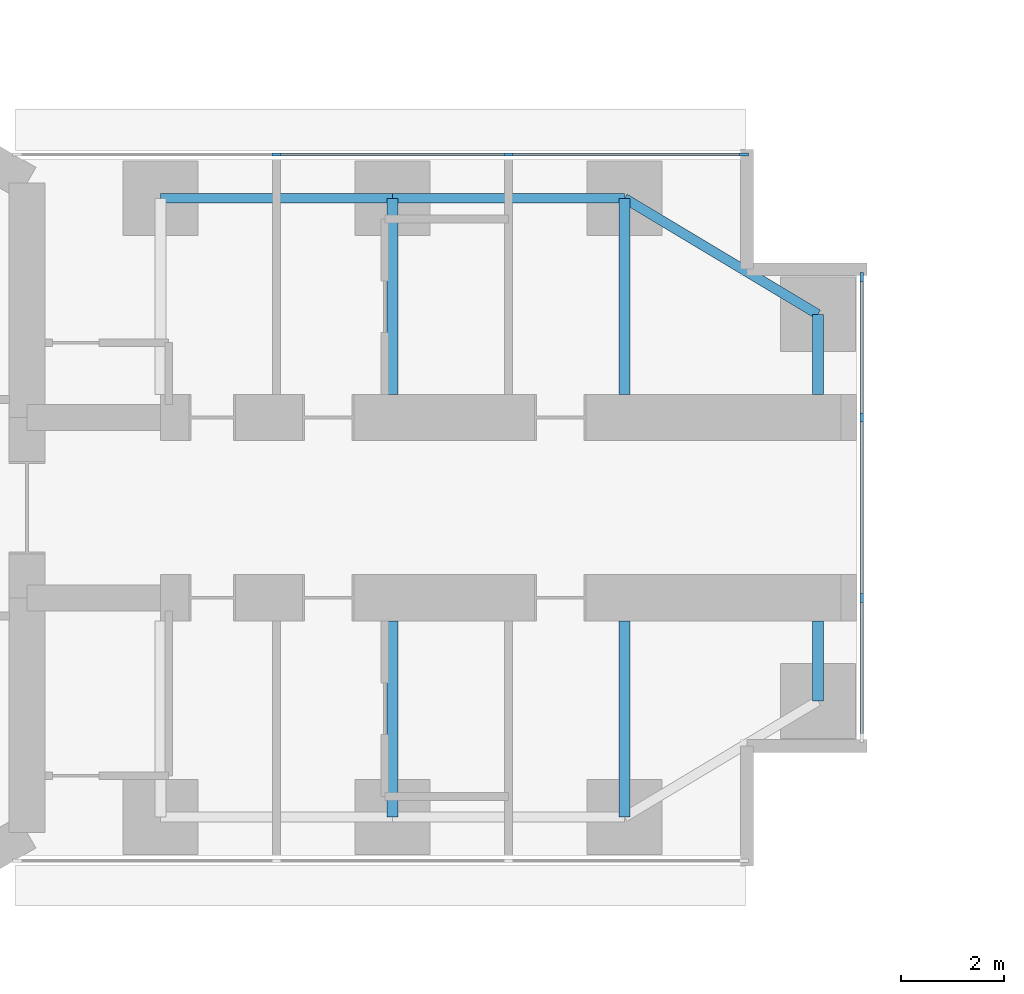
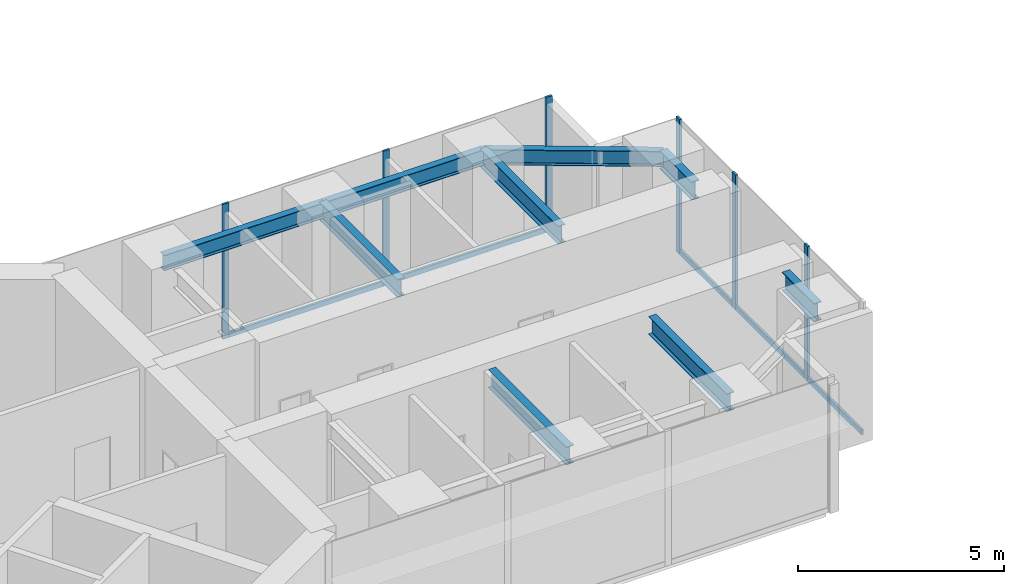
# One storey, part 8 of 24: 11 members, 9 beams, 2 elements without a shape of their own.
"""IFC4 building model written with IfcOpenShell, lengths in metres."""

from ifc_helpers import new_model, si_unit, direction, frame, origin, origin_2d, place, context, subcontext, project, spatial, rectangle, i_section, extrude, material, material_profile, profile_set, type_object, element, aggregate, save


model = new_model("IFC4")

# Units and contexts
model_context = context("Model", 3, precision=1e-05, world=origin(), true_north=direction((0.0, 1.0)))
body_context = subcontext(model_context, "Body", "Model", "MODEL_VIEW")
ifc_project = project(units=[si_unit("LENGTHUNIT", "METRE"), si_unit("AREAUNIT", "SQUARE_METRE"), si_unit("VOLUMEUNIT", "CUBIC_METRE"), si_unit("PLANEANGLEUNIT", "RADIAN"), si_unit("MASSUNIT", "GRAM", prefix="KILO")], contexts=[model_context])

# Site, building, storey
site_placement = place(None, origin())
site = spatial("IfcSite", under=ifc_project, at=site_placement, CompositionType="ELEMENT")
building_placement = place(site_placement, origin())
building = spatial("IfcBuilding", under=site, at=building_placement, Name="Upepo Twin Towers", CompositionType="ELEMENT")
storey_placement = place(building_placement, frame((0.0, 0.0, 60.5)))
storey = spatial("IfcBuildingStorey", under=building, at=storey_placement, Name="L14", CompositionType="ELEMENT", Elevation=60.5)

# Beams
ifc_material_1 = material(Name="Steel S355", Category="steel")
ifc_material_profile_1 = material_profile(ifc_material_1, i_section(OverallWidth=0.1904296875, OverallDepth=0.45703125, WebThickness=0.009033203125, FlangeThickness=0.014404296875, FilletRadius=0.01025390625, at=origin_2d()), Name="UB 457x191x74")
ifc_profile_set_1 = profile_set([ifc_material_profile_1], Name="Steel S355")
beam_type_1 = type_object("IfcBeamType", Name="Beam UB 457x191x74", PredefinedType="BEAM", material=ifc_profile_set_1)
for number, where, z_axis, x_axis, name in (
    (1, (13.5, 6.0, 3.571533203125), (1.0, 0.0, 0.0), (0.0, 1.0, 0.0), "T1 edge beam AL 13.5-18.0"),
    (2, (18.0, 6.0, 3.571533203125), (1.0, 0.0, 0.0), (0.0, 1.0, 0.0), "T1 edge beam AL 18.0-22.5"),
):
    element("IfcBeam", number, at=place(storey_placement, frame(where, z_axis=z_axis, x_axis=x_axis)), inside=storey, type_object=beam_type_1, Name=name, PredefinedType="BEAM", context=body_context, shape_type="SweptSolid", body=[
        extrude(i_section(OverallWidth=0.1904296875, OverallDepth=0.45703125, WebThickness=0.009033203125, FlangeThickness=0.014404296875, FilletRadius=0.01025390625, at=origin_2d()), origin(), (0.0, 0.0, 1.0), 4.5),
    ])
beam_placement = place(storey_placement, frame((22.5, 6.0, 3.571533203125), z_axis=(0.857492925713, -0.514495755428, 0.0), x_axis=(0.514495755428, 0.857492925713, 0.0)))
element("IfcBeam", 3, at=beam_placement, inside=storey, type_object=beam_type_1, Name="T1 nose edge beam AL", PredefinedType="BEAM", context=body_context, shape_type="SweptSolid", body=[
    extrude(i_section(OverallWidth=0.1904296875, OverallDepth=0.45703125, WebThickness=0.009033203125, FlangeThickness=0.014404296875, FilletRadius=0.01025390625, at=origin_2d()), origin(), (0.0, 0.0, 1.0), 4.373291015625),
])
ifc_material_2 = material(Name="Steel S355", Category="steel")
ifc_material_profile_2 = material_profile(ifc_material_2, i_section(OverallWidth=0.2119140625, OverallDepth=0.54443359375, WebThickness=0.0126953125, FlangeThickness=0.021240234375, FilletRadius=0.0126953125, at=origin_2d()), Name="UB 533x210x122")
ifc_profile_set_2 = profile_set([ifc_material_profile_2], Name="Steel S355")
beam_type_2 = type_object("IfcBeamType", Name="Beam UB 533x210x122", PredefinedType="BEAM", material=ifc_profile_set_2)
for number, where, z_axis, x_axis, name in (
    (4, (26.25, 3.75, 3.52783203125), (0.0, -1.0, 0.0), (1.0, 0.0, 0.0), "T1 nose beam AL"),
    (5, (26.25, -3.75, 3.52783203125), (0.0, 1.0, 0.0), (-1.0, 0.0, 0.0), "T1 nose beam AR"),
):
    element("IfcBeam", number, at=place(storey_placement, frame(where, z_axis=z_axis, x_axis=x_axis)), inside=storey, type_object=beam_type_2, Name=name, PredefinedType="BEAM", context=body_context, shape_type="SweptSolid", body=[
        extrude(i_section(OverallWidth=0.2119140625, OverallDepth=0.54443359375, WebThickness=0.0126953125, FlangeThickness=0.021240234375, FilletRadius=0.0126953125, at=origin_2d()), origin(), (0.0, 0.0, 1.0), 1.550048828125),
    ])
ifc_material_3 = material(Name="Steel S355", Category="steel")
ifc_material_profile_3 = material_profile(ifc_material_3, i_section(OverallWidth=0.209228515625, OverallDepth=0.533203125, WebThickness=0.010009765625, FlangeThickness=0.015625, FilletRadius=0.0126953125, at=origin_2d()), Name="UB 533x210x92")
ifc_profile_set_3 = profile_set([ifc_material_profile_3], Name="Steel S355")
beam_type_3 = type_object("IfcBeamType", Name="Beam UB 533x210x92", PredefinedType="BEAM", material=ifc_profile_set_3)
for number, where, z_axis, x_axis, name in (
    (6, (18.0, 6.0, 3.533447265625), (0.0, -1.0, 0.0), (1.0, 0.0, 0.0), "T1 girder AL at 18.0"),
    (7, (22.5, 6.0, 3.533447265625), (0.0, -1.0, 0.0), (1.0, 0.0, 0.0), "T1 girder AL at 22.5"),
    (8, (18.0, -6.0, 3.533447265625), (0.0, 1.0, 0.0), (-1.0, 0.0, 0.0), "T1 girder AR at 18.0"),
    (9, (22.5, -6.0, 3.533447265625), (0.0, 1.0, 0.0), (-1.0, 0.0, 0.0), "T1 girder AR at 22.5"),
):
    element("IfcBeam", number, at=place(storey_placement, frame(where, z_axis=z_axis, x_axis=x_axis)), inside=storey, type_object=beam_type_3, Name=name, PredefinedType="BEAM", context=body_context, shape_type="SweptSolid", body=[
        extrude(i_section(OverallWidth=0.209228515625, OverallDepth=0.533203125, WebThickness=0.010009765625, FlangeThickness=0.015625, FilletRadius=0.0126953125, at=origin_2d()), origin(), (0.0, 0.0, 1.0), 3.800048828125),
    ])

# Curtain wall, members
ifc_material_4 = material(Name="Aluminium and fritted glass", Category="aluminium")
curtain_wall_type = type_object("IfcCurtainWallType", Name="Tower curtain wall TW1, fritted glass", PredefinedType="NOTDEFINED", material=ifc_material_4)
curtain_wall_1_placement = place(storey_placement, origin())
curtain_wall_1 = element("IfcCurtainWall", 10, at=curtain_wall_1_placement, inside=storey, type_object=curtain_wall_type, Name="T1 L14 wing A flank L curtain wall", PredefinedType="NOTDEFINED")
ifc_material_5 = material(Name="Aluminium mullion", Category="aluminium")
ifc_material_profile_4 = material_profile(ifc_material_5, rectangle(XDim=0.06494140625, YDim=0.179931640625, at=origin_2d()), Name="MULLION 65x180")
ifc_profile_set_4 = profile_set([ifc_material_profile_4], Name="Aluminium mullion")
member_type_1 = type_object("IfcMemberType", Name="Mullion 65x180 TW1", PredefinedType="MULLION", material=ifc_profile_set_4)
member_1_placement = place(storey_placement, frame((15.75, 6.85009765625, 0.0), z_axis=(0.0, 0.0, 1.0), x_axis=(0.0, 1.0, 0.0)))
member_1 = element("IfcMember", 11, at=member_1_placement, type_object=member_type_1, Name="T1 L14 wing A flank L curtain wall mullion 2", PredefinedType="MULLION", context=body_context, shape_type="SweptSolid", body=[
    extrude(rectangle(XDim=0.06494140625, YDim=0.179931640625, at=origin_2d()), origin(), (0.0, 0.0, 1.0), 4.0),
])
member_2_placement = place(storey_placement, frame((20.25, 6.85009765625, 0.0), z_axis=(0.0, 0.0, 1.0), x_axis=(0.0, 1.0, 0.0)))
member_2 = element("IfcMember", 12, at=member_2_placement, type_object=member_type_1, Name="T1 L14 wing A flank L curtain wall mullion 3", PredefinedType="MULLION", context=body_context, shape_type="SweptSolid", body=[
    extrude(rectangle(XDim=0.06494140625, YDim=0.179931640625, at=origin_2d()), origin(), (0.0, 0.0, 1.0), 4.0),
])
member_3_placement = place(storey_placement, frame((24.8173828125, 6.85009765625, 0.0), z_axis=(0.0, 0.0, 1.0), x_axis=(0.0, 1.0, 0.0)))
member_3 = element("IfcMember", 13, at=member_3_placement, type_object=member_type_1, Name="T1 L14 wing A flank L curtain wall mullion 4", PredefinedType="MULLION", context=body_context, shape_type="SweptSolid", body=[
    extrude(rectangle(XDim=0.06494140625, YDim=0.179931640625, at=origin_2d()), origin(), (0.0, 0.0, 1.0), 4.0),
])

curtain_wall_2_placement = place(storey_placement, origin())
curtain_wall_2 = element("IfcCurtainWall", 14, at=curtain_wall_2_placement, inside=storey, type_object=curtain_wall_type, Name="T1 L14 wing A nose curtain wall", PredefinedType="NOTDEFINED")
member_4_placement = place(storey_placement, frame((27.10009765625, -1.75, 0.0), z_axis=(0.0, 0.0, 1.0), x_axis=(-1.0, 0.0, 0.0)))
member_4 = element("IfcMember", 15, at=member_4_placement, type_object=member_type_1, Name="T1 L14 wing A nose curtain wall mullion 2", PredefinedType="MULLION", context=body_context, shape_type="SweptSolid", body=[
    extrude(rectangle(XDim=0.06494140625, YDim=0.179931640625, at=origin_2d()), origin(), (0.0, 0.0, 1.0), 4.0),
])
member_5_placement = place(storey_placement, frame((27.10009765625, 1.75, 0.0), z_axis=(0.0, 0.0, 1.0), x_axis=(-1.0, 0.0, 0.0)))
member_5 = element("IfcMember", 16, at=member_5_placement, type_object=member_type_1, Name="T1 L14 wing A nose curtain wall mullion 3", PredefinedType="MULLION", context=body_context, shape_type="SweptSolid", body=[
    extrude(rectangle(XDim=0.06494140625, YDim=0.179931640625, at=origin_2d()), origin(), (0.0, 0.0, 1.0), 4.0),
])
member_6_placement = place(storey_placement, frame((27.10009765625, 4.467529296875, 0.0), z_axis=(0.0, 0.0, 1.0), x_axis=(-1.0, 0.0, 0.0)))
member_6 = element("IfcMember", 17, at=member_6_placement, type_object=member_type_1, Name="T1 L14 wing A nose curtain wall mullion 4", PredefinedType="MULLION", context=body_context, shape_type="SweptSolid", body=[
    extrude(rectangle(XDim=0.06494140625, YDim=0.179931640625, at=origin_2d()), origin(), (0.0, 0.0, 1.0), 4.0),
])

# Member
ifc_material_6 = material(Name="Aluminium transom", Category="aluminium")
ifc_material_profile_5 = material_profile(ifc_material_6, rectangle(XDim=0.06494140625, YDim=0.14990234375, at=origin_2d()), Name="TRANSOM 65x150")
ifc_profile_set_5 = profile_set([ifc_material_profile_5], Name="Aluminium transom")
member_type_2 = type_object("IfcMemberType", Name="Transom 65x150 TW1", PredefinedType="USERDEFINED", material=ifc_profile_set_5)
member_7_placement = place(storey_placement, frame((15.782470703125, 6.85009765625, 0.074951171875), z_axis=(1.0, 0.0, 0.0), x_axis=(0.0, 1.0, 0.0)))
member_7 = element("IfcMember", 18, at=member_7_placement, type_object=member_type_2, Name="T1 L14 wing A flank L curtain wall transom 2", ObjectType="TRANSOM", PredefinedType="USERDEFINED", context=body_context, shape_type="SweptSolid", body=[
    extrude(rectangle(XDim=0.06494140625, YDim=0.14990234375, at=origin_2d()), origin(), (0.0, 0.0, 1.0), 4.43505859375),
])

member_8_placement = place(storey_placement, frame((20.282470703125, 6.85009765625, 0.074951171875), z_axis=(1.0, 0.0, 0.0), x_axis=(0.0, 1.0, 0.0)))
member_8 = element("IfcMember", 19, at=member_8_placement, type_object=member_type_2, Name="T1 L14 wing A flank L curtain wall transom 3", ObjectType="TRANSOM", PredefinedType="USERDEFINED", context=body_context, shape_type="SweptSolid", body=[
    extrude(rectangle(XDim=0.06494140625, YDim=0.14990234375, at=origin_2d()), origin(), (0.0, 0.0, 1.0), 4.50244140625),
])

aggregate(curtain_wall_1, [member_1, member_2, member_3, member_7, member_8])

member_9_placement = place(storey_placement, frame((27.10009765625, -4.43505859375, 0.074951171875), z_axis=(0.0, 1.0, 0.0), x_axis=(-1.0, 0.0, 0.0)))
member_9 = element("IfcMember", 20, at=member_9_placement, type_object=member_type_2, Name="T1 L14 wing A nose curtain wall transom 1", ObjectType="TRANSOM", PredefinedType="USERDEFINED", context=body_context, shape_type="SweptSolid", body=[
    extrude(rectangle(XDim=0.06494140625, YDim=0.14990234375, at=origin_2d()), origin(), (0.0, 0.0, 1.0), 2.652587890625),
])

member_10_placement = place(storey_placement, frame((27.10009765625, -1.717529296875, 0.074951171875), z_axis=(0.0, 1.0, 0.0), x_axis=(-1.0, 0.0, 0.0)))
member_10 = element("IfcMember", 21, at=member_10_placement, type_object=member_type_2, Name="T1 L14 wing A nose curtain wall transom 2", ObjectType="TRANSOM", PredefinedType="USERDEFINED", context=body_context, shape_type="SweptSolid", body=[
    extrude(rectangle(XDim=0.06494140625, YDim=0.14990234375, at=origin_2d()), origin(), (0.0, 0.0, 1.0), 3.43505859375),
])

member_11_placement = place(storey_placement, frame((27.10009765625, 1.782470703125, 0.074951171875), z_axis=(0.0, 1.0, 0.0), x_axis=(-1.0, 0.0, 0.0)))
member_11 = element("IfcMember", 22, at=member_11_placement, type_object=member_type_2, Name="T1 L14 wing A nose curtain wall transom 3", ObjectType="TRANSOM", PredefinedType="USERDEFINED", context=body_context, shape_type="SweptSolid", body=[
    extrude(rectangle(XDim=0.06494140625, YDim=0.14990234375, at=origin_2d()), origin(), (0.0, 0.0, 1.0), 2.652587890625),
])

aggregate(curtain_wall_2, [member_4, member_5, member_6, member_9, member_10, member_11])

save(model, "model.ifc")
